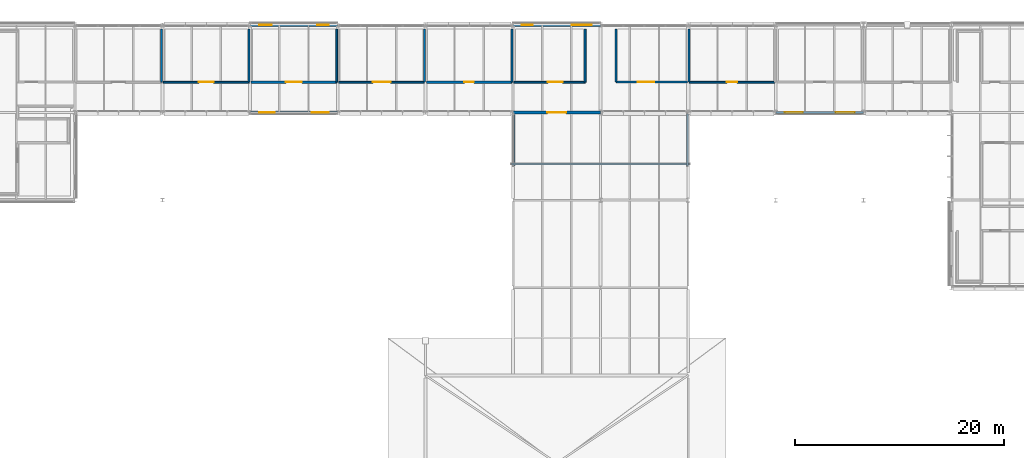
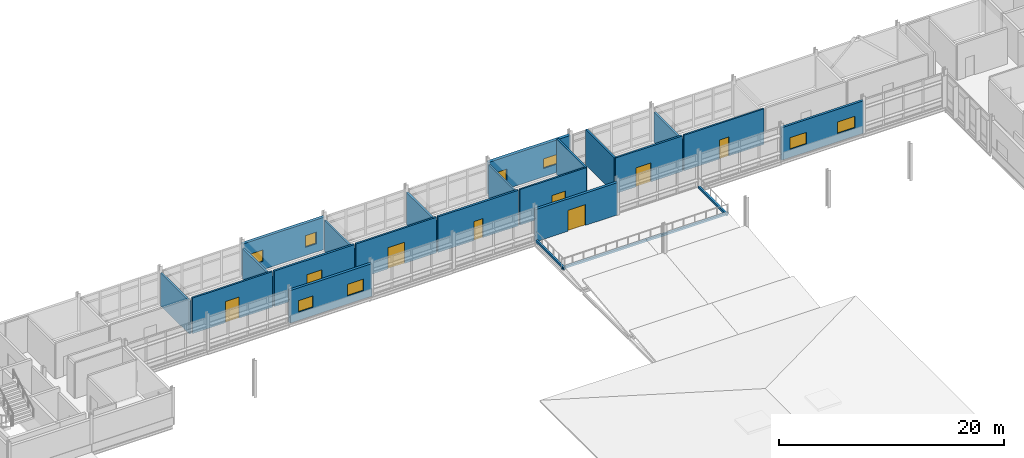
# One storey, part 52 of 66: 23 walls, 8 doors, 8 windows, 16 openings.
"""IFC4 building model written with IfcOpenShell, lengths in metres."""

from ifc_helpers import new_model, si_unit, direction, frame, frame_2d, origin, place, context, subcontext, project, spatial, rectangle, extrude, material, layer, layer_set, type_object, element, fill, save


model = new_model("IFC4")

# Units and contexts
model_context = context("Model", 3, precision=1e-05, world=origin(), true_north=direction((0.0, 1.0)))
body_context = subcontext(model_context, "Body", "Model", "MODEL_VIEW")
ifc_project = project(units=[si_unit("LENGTHUNIT", "METRE"), si_unit("AREAUNIT", "SQUARE_METRE"), si_unit("VOLUMEUNIT", "CUBIC_METRE"), si_unit("PLANEANGLEUNIT", "RADIAN"), si_unit("MASSUNIT", "GRAM", prefix="KILO")], contexts=[model_context])

# Site, building, storey
site_placement = place(None, origin())
site = spatial("IfcSite", under=ifc_project, at=site_placement, CompositionType="ELEMENT")
building_placement = place(site_placement, origin())
building = spatial("IfcBuilding", under=site, at=building_placement, Name="Mersafa Astral City Hall", CompositionType="ELEMENT")
storey_placement = place(building_placement, frame((0.0, 0.0, 22.050048828125)))
storey = spatial("IfcBuildingStorey", under=building, at=storey_placement, Name="L05", CompositionType="ELEMENT", Elevation=22.050048828125)

# Wall, openings, windows
ifc_material_1 = material(Name="Precast concrete C40/50 insulated terracotta spandrel", Category="masonry")
ifc_layer_1 = layer(ifc_material_1, 0.235107421875, Name="Precast concrete C40/50 insulated terracotta spandrel")
ifc_layer_set_1 = layer_set([ifc_layer_1], Name="Precast concrete C40/50 insulated terracotta spandrel — ENV-WAL-EXT-235")
wall_type_1 = type_object("IfcWallType", Name="ENV-WAL-EXT-235", PredefinedType="STANDARD", material=ifc_layer_set_1)
wall_1_placement = place(storey_placement, frame((126.008056640625, 117.60009765625, 0.0), z_axis=(0.0, 0.0, 1.0), x_axis=(1.0, 0.0, 0.0)))
wall_1 = element("IfcWall", 1, at=wall_1_placement, inside=storey, type_object=wall_type_1, Name="L05 Limestone-clad exterior wall 359", PredefinedType="STANDARD", context=body_context, shape_type="SweptSolid", body=[
    extrude(rectangle(XDim=8.384033203125, YDim=0.235107421875, at=frame_2d((4.19189453125, 0.0))), origin(), (0.0, 0.0, 1.0), 3.52685546875),
])
opening_1_placement = place(wall_1_placement, frame((0.85009765625, 0.0, 0.89990234375)))
opening_1 = element("IfcOpeningElement", 2, at=opening_1_placement, cuts=wall_1, Name="Opening W-18", PredefinedType="OPENING", context=body_context, shape_type="SweptSolid", body=[
    extrude(rectangle(XDim=1.719970703125, YDim=1.25, at=frame_2d((0.85986328125, 0.625))), frame((0.0, 0.12744140625, 0.0), z_axis=(0.0, -1.0, 0.0), x_axis=(1.0, 0.0, 0.0)), (0.0, 0.0, 1.0), 0.255126953125),
])
opening_2_placement = place(wall_1_placement, frame((5.714111328125, 0.0, 0.89990234375)))
opening_2 = element("IfcOpeningElement", 3, at=opening_2_placement, cuts=wall_1, Name="Opening W-19", PredefinedType="OPENING", context=body_context, shape_type="SweptSolid", body=[
    extrude(rectangle(XDim=1.820068359375, YDim=1.25, at=frame_2d((0.91015625, 0.625))), frame((0.0, 0.12744140625, 0.0), z_axis=(0.0, -1.0, 0.0), x_axis=(1.0, 0.0, 0.0)), (0.0, 0.0, 1.0), 0.255126953125),
])
ifc_material_2 = material(Name="Solar control low-e double glazing in bronze frame", Category="glass")
window_type_1 = type_object("IfcWindowType", Name="ENV-WIN-W-18", PartitioningType="SINGLE_PANEL", PredefinedType="WINDOW", material=ifc_material_2)
window_1_placement = place(opening_1_placement, origin())
window_1 = element("IfcWindow", 4, at=window_1_placement, inside=storey, type_object=window_type_1, Name="L05 Solar punched window 359-L", OverallHeight=1.25, OverallWidth=1.719970703125, PartitioningType="SINGLE_PANEL", PredefinedType="WINDOW", context=body_context, shape_type="SweptSolid", body=[
    extrude(rectangle(XDim=1.719970703125, YDim=1.25, at=frame_2d((0.85986328125, 0.625))), frame((0.0, 0.030029296875, 0.0), z_axis=(0.0, -1.0, 0.0), x_axis=(1.0, 0.0, 0.0)), (0.0, 0.0, 1.0), 0.06005859375),
])
fill(opening_1, window_1)
window_type_2 = type_object("IfcWindowType", Name="ENV-WIN-W-19", PartitioningType="SINGLE_PANEL", PredefinedType="WINDOW", material=ifc_material_2)
window_2_placement = place(opening_2_placement, origin())
window_2 = element("IfcWindow", 5, at=window_2_placement, inside=storey, type_object=window_type_2, Name="L05 Solar punched window 359-R", OverallHeight=1.25, OverallWidth=1.820068359375, PartitioningType="SINGLE_PANEL", PredefinedType="WINDOW", context=body_context, shape_type="SweptSolid", body=[
    extrude(rectangle(XDim=1.820068359375, YDim=1.25, at=frame_2d((0.91015625, 0.625))), frame((0.0, 0.030029296875, 0.0), z_axis=(0.0, -1.0, 0.0), x_axis=(1.0, 0.0, 0.0)), (0.0, 0.0, 1.0), 0.06005859375),
])
fill(opening_2, window_2)

ifc_material_3 = material(Name="Precast concrete C40/50 insulated limestone wall", Category="masonry")
ifc_layer_2 = layer(ifc_material_3, 0.264892578125, Name="Precast concrete C40/50 insulated limestone wall")
ifc_layer_set_2 = layer_set([ifc_layer_2], Name="Precast concrete C40/50 insulated limestone wall — ENV-WAL-EXT-265")
wall_type_2 = type_object("IfcWallType", Name="ENV-WAL-EXT-265", PredefinedType="STANDARD", material=ifc_layer_set_2)
wall_2_placement = place(storey_placement, frame((75.60791015625, 117.60009765625, 0.0), z_axis=(0.0, 0.0, 1.0), x_axis=(1.0, 0.0, 0.0)))
wall_2 = element("IfcWall", 6, at=wall_2_placement, inside=storey, type_object=wall_type_2, Name="L05 Limestone-clad exterior wall 357", PredefinedType="STANDARD", context=body_context, shape_type="SweptSolid", body=[
    extrude(rectangle(XDim=8.384033203125, YDim=0.264892578125, at=frame_2d((4.19189453125, 0.0))), origin(), (0.0, 0.0, 1.0), 3.52685546875),
])
opening_3_placement = place(wall_2_placement, frame((0.85009765625, 0.0, 0.89990234375)))
opening_3 = element("IfcOpeningElement", 7, at=opening_3_placement, cuts=wall_2, Name="Opening W-16", PredefinedType="OPENING", context=body_context, shape_type="SweptSolid", body=[
    extrude(rectangle(XDim=1.52001953125, YDim=1.25, at=frame_2d((0.760009765625, 0.625))), frame((0.0, 0.142333984375, 0.0), z_axis=(0.0, -1.0, 0.0), x_axis=(1.0, 0.0, 0.0)), (0.0, 0.0, 1.0), 0.284912109375),
])
opening_4_placement = place(wall_2_placement, frame((5.9140625, 0.0, 0.89990234375)))
opening_4 = element("IfcOpeningElement", 8, at=opening_4_placement, cuts=wall_2, Name="Opening W-17", PredefinedType="OPENING", context=body_context, shape_type="SweptSolid", body=[
    extrude(rectangle(XDim=1.6201171875, YDim=1.25, at=frame_2d((0.81005859375, 0.625))), frame((0.0, 0.142333984375, 0.0), z_axis=(0.0, -1.0, 0.0), x_axis=(1.0, 0.0, 0.0)), (0.0, 0.0, 1.0), 0.284912109375),
])
window_type_3 = type_object("IfcWindowType", Name="ENV-WIN-W-16", PartitioningType="SINGLE_PANEL", PredefinedType="WINDOW", material=ifc_material_2)
window_3_placement = place(opening_3_placement, origin())
window_3 = element("IfcWindow", 9, at=window_3_placement, inside=storey, type_object=window_type_3, Name="L05 Solar punched window 357-L", OverallHeight=1.25, OverallWidth=1.52001953125, PartitioningType="SINGLE_PANEL", PredefinedType="WINDOW", context=body_context, shape_type="SweptSolid", body=[
    extrude(rectangle(XDim=1.52001953125, YDim=1.25, at=frame_2d((0.760009765625, 0.625))), frame((0.0, 0.030029296875, 0.0), z_axis=(0.0, -1.0, 0.0), x_axis=(1.0, 0.0, 0.0)), (0.0, 0.0, 1.0), 0.06005859375),
])
fill(opening_3, window_3)
window_type_4 = type_object("IfcWindowType", Name="ENV-WIN-W-17", PartitioningType="SINGLE_PANEL", PredefinedType="WINDOW", material=ifc_material_2)
window_4_placement = place(opening_4_placement, origin())
window_4 = element("IfcWindow", 10, at=window_4_placement, inside=storey, type_object=window_type_4, Name="L05 Solar punched window 357-R", OverallHeight=1.25, OverallWidth=1.6201171875, PartitioningType="SINGLE_PANEL", PredefinedType="WINDOW", context=body_context, shape_type="SweptSolid", body=[
    extrude(rectangle(XDim=1.6201171875, YDim=1.25, at=frame_2d((0.81005859375, 0.625))), frame((0.0, 0.030029296875, 0.0), z_axis=(0.0, -1.0, 0.0), x_axis=(1.0, 0.0, 0.0)), (0.0, 0.0, 1.0), 0.06005859375),
])
fill(opening_4, window_4)

# Wall, opening, door
wall_3_placement = place(storey_placement, frame((100.80810546875, 117.60009765625, 0.0), z_axis=(0.0, 0.0, 1.0), x_axis=(1.0, 0.0, 0.0)))
wall_3 = element("IfcWall", 11, at=wall_3_placement, inside=storey, type_object=wall_type_2, Name="L05 Terrace access facade wall TER-L05-V6S", PredefinedType="STANDARD", context=body_context, shape_type="SweptSolid", body=[
    extrude(rectangle(XDim=8.3837890625, YDim=0.264892578125, at=frame_2d((4.19189453125, 0.0))), origin(), (0.0, 0.0, 1.0), 3.4970703125),
])
opening_5_placement = place(wall_3_placement, frame((3.2919921875, 0.0, 0.0)))
opening_5 = element("IfcOpeningElement", 12, at=opening_5_placement, cuts=wall_3, Name="Opening TD-1", PredefinedType="OPENING", context=body_context, shape_type="SweptSolid", body=[
    extrude(rectangle(XDim=1.800048828125, YDim=2.260009765625, at=frame_2d((0.89990234375, 1.1298828125))), frame((0.0, 0.142333984375, 0.0), z_axis=(0.0, -1.0, 0.0), x_axis=(1.0, 0.0, 0.0)), (0.0, 0.0, 1.0), 0.284912109375),
])
ifc_material_4 = material(Name="Anodised bronze glazed terrace door pair", Category="metal")
door_type_1 = type_object("IfcDoorType", Name="ENV-DR-TER-1800", OperationType="NOTDEFINED", PredefinedType="DOOR", material=ifc_material_4)
door_1_placement = place(opening_5_placement, origin())
door_1 = element("IfcDoor", 13, at=door_1_placement, inside=storey, type_object=door_type_1, Name="L05 Civic Roof Terrace Access Door TER-L05-V6S", OperationType="DOUBLE_DOOR_SINGLE_SWING", OverallHeight=2.260009765625, OverallWidth=1.800048828125, PredefinedType="DOOR", context=body_context, shape_type="SweptSolid", body=[
    extrude(rectangle(XDim=1.800048828125, YDim=2.260009765625, at=frame_2d((0.89990234375, 1.1298828125))), frame((0.0, 0.02490234375, 0.0), z_axis=(0.0, -1.0, 0.0), x_axis=(1.0, 0.0, 0.0)), (0.0, 0.0, 1.0), 0.050048828125),
])
fill(opening_5, door_1)

# Wall, openings, windows
ifc_layer_3 = layer(ifc_material_3, 0.294921875, Name="Precast concrete C40/50 insulated limestone wall")
ifc_layer_set_3 = layer_set([ifc_layer_3], Name="Precast concrete C40/50 insulated limestone wall — ENV-WAL-EXT-295")
wall_type_3 = type_object("IfcWallType", Name="ENV-WAL-EXT-295", PredefinedType="STANDARD", material=ifc_layer_set_3)
wall_4_placement = place(storey_placement, frame((83.991943359375, 126.0, 0.0), z_axis=(0.0, 0.0, 1.0), x_axis=(-1.0, 0.0, 0.0)))
wall_4 = element("IfcWall", 14, at=wall_4_placement, inside=storey, type_object=wall_type_3, Name="L05 Limestone-clad exterior wall 349", PredefinedType="STANDARD", context=body_context, shape_type="SweptSolid", body=[
    extrude(rectangle(XDim=8.384033203125, YDim=0.294921875, at=frame_2d((4.19189453125, 0.0))), origin(), (0.0, 0.0, 1.0), 3.4970703125),
])
opening_6_placement = place(wall_4_placement, frame((0.85009765625, 0.0, 0.89990234375)))
opening_6 = element("IfcOpeningElement", 15, at=opening_6_placement, cuts=wall_4, Name="Opening W-12", PredefinedType="OPENING", context=body_context, shape_type="SweptSolid", body=[
    extrude(rectangle(XDim=1.1201171875, YDim=1.25, at=frame_2d((0.56005859375, 0.625))), frame((0.0, 0.157470703125, 0.0), z_axis=(0.0, -1.0, 0.0), x_axis=(1.0, 0.0, 0.0)), (0.0, 0.0, 1.0), 0.31494140625),
])
opening_7_placement = place(wall_4_placement, frame((6.31396484375, 0.0, 0.89990234375)))
opening_7 = element("IfcOpeningElement", 16, at=opening_7_placement, cuts=wall_4, Name="Opening W-13", PredefinedType="OPENING", context=body_context, shape_type="SweptSolid", body=[
    extrude(rectangle(XDim=1.219970703125, YDim=1.25, at=frame_2d((0.60986328125, 0.625))), frame((0.0, 0.157470703125, 0.0), z_axis=(0.0, -1.0, 0.0), x_axis=(1.0, 0.0, 0.0)), (0.0, 0.0, 1.0), 0.31494140625),
])
window_type_5 = type_object("IfcWindowType", Name="ENV-WIN-W-12", PartitioningType="SINGLE_PANEL", PredefinedType="WINDOW", material=ifc_material_2)
window_5_placement = place(opening_6_placement, origin())
window_5 = element("IfcWindow", 17, at=window_5_placement, inside=storey, type_object=window_type_5, Name="L05 Solar punched window 349-L", OverallHeight=1.25, OverallWidth=1.1201171875, PartitioningType="SINGLE_PANEL", PredefinedType="WINDOW", context=body_context, shape_type="SweptSolid", body=[
    extrude(rectangle(XDim=1.1201171875, YDim=1.25, at=frame_2d((0.56005859375, 0.625))), frame((0.0, 0.030029296875, 0.0), z_axis=(0.0, -1.0, 0.0), x_axis=(1.0, 0.0, 0.0)), (0.0, 0.0, 1.0), 0.06005859375),
])
fill(opening_6, window_5)
window_type_6 = type_object("IfcWindowType", Name="ENV-WIN-W-13", PartitioningType="SINGLE_PANEL", PredefinedType="WINDOW", material=ifc_material_2)
window_6_placement = place(opening_7_placement, origin())
window_6 = element("IfcWindow", 18, at=window_6_placement, inside=storey, type_object=window_type_6, Name="L05 Solar punched window 349-R", OverallHeight=1.25, OverallWidth=1.219970703125, PartitioningType="SINGLE_PANEL", PredefinedType="WINDOW", context=body_context, shape_type="SweptSolid", body=[
    extrude(rectangle(XDim=1.219970703125, YDim=1.25, at=frame_2d((0.60986328125, 0.625))), frame((0.0, 0.030029296875, 0.0), z_axis=(0.0, -1.0, 0.0), x_axis=(1.0, 0.0, 0.0)), (0.0, 0.0, 1.0), 0.06005859375),
])
fill(opening_7, window_6)

ifc_layer_4 = layer(ifc_material_3, 0.31005859375, Name="Precast concrete C40/50 insulated limestone wall")
ifc_layer_set_4 = layer_set([ifc_layer_4], Name="Precast concrete C40/50 insulated limestone wall — ENV-WAL-EXT-310")
wall_type_4 = type_object("IfcWallType", Name="ENV-WAL-EXT-310", PredefinedType="STANDARD", material=ifc_layer_set_4)
wall_5_placement = place(storey_placement, frame((109.19189453125, 126.0, 0.0), z_axis=(0.0, 0.0, 1.0), x_axis=(-1.0, 0.0, 0.0)))
wall_5 = element("IfcWall", 19, at=wall_5_placement, inside=storey, type_object=wall_type_4, Name="L05 Limestone-clad exterior wall 348", PredefinedType="STANDARD", context=body_context, shape_type="SweptSolid", body=[
    extrude(rectangle(XDim=8.3837890625, YDim=0.31005859375, at=frame_2d((4.19189453125, 0.0))), origin(), (0.0, 0.0, 1.0), 3.52685546875),
])
opening_8_placement = place(wall_5_placement, frame((0.85009765625, 0.0, 0.89990234375)))
opening_8 = element("IfcOpeningElement", 20, at=opening_8_placement, cuts=wall_5, Name="Opening W-10", PredefinedType="OPENING", context=body_context, shape_type="SweptSolid", body=[
    extrude(rectangle(XDim=1.919921875, YDim=1.050048828125, at=frame_2d((0.9599609375, 0.52490234375))), frame((0.0, 0.1650390625, 0.0), z_axis=(0.0, -1.0, 0.0), x_axis=(1.0, 0.0, 0.0)), (0.0, 0.0, 1.0), 0.330078125),
])
opening_9_placement = place(wall_5_placement, frame((6.513916015625, 0.0, 0.89990234375)))
opening_9 = element("IfcOpeningElement", 21, at=opening_9_placement, cuts=wall_5, Name="Opening W-11", PredefinedType="OPENING", context=body_context, shape_type="SweptSolid", body=[
    extrude(rectangle(XDim=1.02001953125, YDim=1.25, at=frame_2d((0.510009765625, 0.625))), frame((0.0, 0.1650390625, 0.0), z_axis=(0.0, -1.0, 0.0), x_axis=(1.0, 0.0, 0.0)), (0.0, 0.0, 1.0), 0.330078125),
])
window_type_7 = type_object("IfcWindowType", Name="ENV-WIN-W-10", PartitioningType="SINGLE_PANEL", PredefinedType="WINDOW", material=ifc_material_2)
window_7_placement = place(opening_8_placement, origin())
window_7 = element("IfcWindow", 22, at=window_7_placement, inside=storey, type_object=window_type_7, Name="L05 Solar punched window 348-L", OverallHeight=1.050048828125, OverallWidth=1.919921875, PartitioningType="SINGLE_PANEL", PredefinedType="WINDOW", context=body_context, shape_type="SweptSolid", body=[
    extrude(rectangle(XDim=1.919921875, YDim=1.050048828125, at=frame_2d((0.9599609375, 0.52490234375))), frame((0.0, 0.030029296875, 0.0), z_axis=(0.0, -1.0, 0.0), x_axis=(1.0, 0.0, 0.0)), (0.0, 0.0, 1.0), 0.06005859375),
])
fill(opening_8, window_7)
window_type_8 = type_object("IfcWindowType", Name="ENV-WIN-W-11", PartitioningType="SINGLE_PANEL", PredefinedType="WINDOW", material=ifc_material_2)
window_8_placement = place(opening_9_placement, origin())
window_8 = element("IfcWindow", 23, at=window_8_placement, inside=storey, type_object=window_type_8, Name="L05 Solar punched window 348-R", OverallHeight=1.25, OverallWidth=1.02001953125, PartitioningType="SINGLE_PANEL", PredefinedType="WINDOW", context=body_context, shape_type="SweptSolid", body=[
    extrude(rectangle(XDim=1.02001953125, YDim=1.25, at=frame_2d((0.510009765625, 0.625))), frame((0.0, 0.030029296875, 0.0), z_axis=(0.0, -1.0, 0.0), x_axis=(1.0, 0.0, 0.0)), (0.0, 0.0, 1.0), 0.06005859375),
])
fill(opening_9, window_8)

# Walls
ifc_material_5 = material(Name="Precast concrete C40/50 parapet", Category="concrete")
ifc_layer_5 = layer(ifc_material_5, 0.199951171875, Name="Precast concrete C40/50 parapet")
ifc_layer_set_5 = layer_set([ifc_layer_5], Name="Precast concrete C40/50 parapet — ENV-WAL-PAR-200")
wall_type_5 = type_object("IfcWallType", Name="ENV-WAL-PAR-200", PredefinedType="PARAPET", material=ifc_layer_set_5)
for number, where, z_axis, x_axis, name in (
    (24, (117.530029296875, 112.4599609375, 0.0), (0.0, 0.0, 1.0), (0.0, 1.0, 0.0), "L05 Terrace stone kerb parapet 11"),
    (25, (100.8701171875, 117.4599609375, 0.0), (0.0, 0.0, 1.0), (0.0, -1.0, 0.0), "L05 Terrace stone kerb parapet 12"),
):
    element("IfcWall", number, at=place(storey_placement, frame(where, z_axis=z_axis, x_axis=x_axis)), inside=storey, type_object=wall_type_5, Name=name, PredefinedType="PARAPET", context=body_context, shape_type="SweptSolid", body=[
        extrude(rectangle(XDim=5.0, YDim=0.199951171875, at=frame_2d((2.5, 0.0))), origin(), (0.0, 0.0, 1.0), 0.219970703125),
    ])
wall_6_placement = place(storey_placement, frame((100.659912109375, 112.669921875, 0.0), z_axis=(0.0, 0.0, 1.0), x_axis=(1.0, 0.0, 0.0)))
element("IfcWall", 26, at=wall_6_placement, inside=storey, type_object=wall_type_5, Name="L05 Terrace stone kerb parapet 13", PredefinedType="PARAPET", context=body_context, shape_type="SweptSolid", body=[
    extrude(rectangle(XDim=17.080078125, YDim=0.199951171875, at=frame_2d((8.5400390625, 0.0))), origin(), (0.0, 0.0, 1.0), 0.219970703125),
])
ifc_material_6 = material(Name="Fire-rated gypsum stud partition", Category="gypsum")
ifc_layer_6 = layer(ifc_material_6, 0.1650390625, Name="Fire-rated gypsum stud partition")
ifc_layer_set_6 = layer_set([ifc_layer_6], Name="Fire-rated gypsum stud partition — INT-WAL-PART-EI60-165")
wall_type_6 = type_object("IfcWallType", Name="INT-WAL-PART-EI60-165", PredefinedType="STANDARD", material=ifc_layer_set_6)
wall_7_placement = place(storey_placement, frame((83.909912109375, 125.580078125, -0.004150390625), z_axis=(0.0, 0.0, 1.0), x_axis=(0.0, -1.0, 0.0)))
element("IfcWall", 27, at=wall_7_placement, inside=storey, type_object=wall_type_6, Name="L05 Interior partition wall 747", PredefinedType="STANDARD", context=body_context, shape_type="SweptSolid", body=[
    extrude(rectangle(XDim=5.080078125, YDim=0.1650390625, at=frame_2d((2.5400390625, 0.0))), origin(), (0.0, 0.0, 1.0), 3.37109375),
])
wall_8_placement = place(storey_placement, frame((100.7099609375, 125.580078125, -0.004150390625), z_axis=(0.0, 0.0, 1.0), x_axis=(0.0, -1.0, 0.0)))
element("IfcWall", 28, at=wall_8_placement, inside=storey, type_object=wall_type_6, Name="L05 Interior partition wall 751", PredefinedType="STANDARD", context=body_context, shape_type="SweptSolid", body=[
    extrude(rectangle(XDim=5.080078125, YDim=0.1650390625, at=frame_2d((2.5400390625, 0.0))), origin(), (0.0, 0.0, 1.0), 3.510986328125),
])

# Wall, opening, door
wall_9_placement = place(storey_placement, frame((125.909912109375, 120.5, -0.004150390625), z_axis=(0.0, 0.0, 1.0), x_axis=(-1.0, 0.0, 0.0)))
wall_9 = element("IfcWall", 29, at=wall_9_placement, inside=storey, type_object=wall_type_6, Name="L05 Interior partition wall 755", PredefinedType="STANDARD", context=body_context, shape_type="SweptSolid", body=[
    extrude(rectangle(XDim=8.219970703125, YDim=0.1650390625, at=frame_2d((4.10986328125, 0.0))), origin(), (0.0, 0.0, 1.0), 3.85400390625),
])
opening_10_placement = place(wall_9_placement, frame((3.6201171875, 0.0, 0.0)))
opening_10 = element("IfcOpeningElement", 30, at=opening_10_placement, cuts=wall_9, Name="Opening D-02", PredefinedType="OPENING", context=body_context, shape_type="SweptSolid", body=[
    extrude(rectangle(XDim=0.97998046875, YDim=2.06005859375, at=frame_2d((0.489990234375, 1.030029296875))), frame((0.0, 0.092529296875, 0.0), z_axis=(0.0, -1.0, 0.0), x_axis=(1.0, 0.0, 0.0)), (0.0, 0.0, 1.0), 0.18505859375),
])
ifc_material_7 = material(Name="Cedar veneered acoustic fire-rated timber door", Category="wood")
door_type_2 = type_object("IfcDoorType", Name="INT-DR-RM-D-02", OperationType="NOTDEFINED", PredefinedType="DOOR", material=ifc_material_7)
door_2_placement = place(opening_10_placement, origin())
door_2 = element("IfcDoor", 31, at=door_2_placement, inside=storey, type_object=door_type_2, Name="L05 Public Restroom L05-07 Entrance Door", OperationType="SINGLE_SWING_RIGHT", OverallHeight=2.06005859375, OverallWidth=0.97998046875, PredefinedType="DOOR", context=body_context, shape_type="SweptSolid", body=[
    extrude(rectangle(XDim=0.97998046875, YDim=2.06005859375, at=frame_2d((0.489990234375, 1.030029296875))), frame((0.0, 0.02490234375, 0.0), z_axis=(0.0, -1.0, 0.0), x_axis=(1.0, 0.0, 0.0)), (0.0, 0.0, 1.0), 0.050048828125),
])
fill(opening_10, door_2)

wall_10_placement = place(storey_placement, frame((107.719970703125, 120.5, -0.004150390625), z_axis=(0.0, 0.0, 1.0), x_axis=(-1.0, 0.0, 0.0)))
wall_10 = element("IfcWall", 32, at=wall_10_placement, inside=storey, type_object=wall_type_6, Name="L05 Interior partition wall 771", PredefinedType="STANDARD", context=body_context, shape_type="SweptSolid", body=[
    extrude(rectangle(XDim=6.830078125, YDim=0.1650390625, at=frame_2d((3.4150390625, 0.0))), origin(), (0.0, 0.0, 1.0), 3.85400390625),
])
opening_11_placement = place(wall_10_placement, frame((2.168701171875, 0.0, 0.0)))
opening_11 = element("IfcOpeningElement", 33, at=opening_11_placement, cuts=wall_10, Name="Opening D-07", PredefinedType="OPENING", context=body_context, shape_type="SweptSolid", body=[
    extrude(rectangle(XDim=1.39990234375, YDim=2.06005859375, at=frame_2d((0.699951171875, 1.030029296875))), frame((0.0, 0.092529296875, 0.0), z_axis=(0.0, -1.0, 0.0), x_axis=(1.0, 0.0, 0.0)), (0.0, 0.0, 1.0), 0.18505859375),
])
door_type_3 = type_object("IfcDoorType", Name="INT-DR-RM-D-07", OperationType="NOTDEFINED", PredefinedType="DOOR", material=ifc_material_7)
door_3_placement = place(opening_11_placement, origin())
door_3 = element("IfcDoor", 34, at=door_3_placement, inside=storey, type_object=door_type_3, Name="L05 Inter-District Coordination Room L05-12 Entrance Door", OperationType="SINGLE_SWING_LEFT", OverallHeight=2.06005859375, OverallWidth=1.39990234375, PredefinedType="DOOR", context=body_context, shape_type="SweptSolid", body=[
    extrude(rectangle(XDim=1.39990234375, YDim=2.06005859375, at=frame_2d((0.699951171875, 1.030029296875))), frame((0.0, 0.02490234375, 0.0), z_axis=(0.0, -1.0, 0.0), x_axis=(1.0, 0.0, 0.0)), (0.0, 0.0, 1.0), 0.050048828125),
])
fill(opening_11, door_3)

# Wall
ifc_material_8 = material(Name="Acoustic twin-stud gypsum partition", Category="gypsum")
ifc_layer_7 = layer(ifc_material_8, 0.179931640625, Name="Acoustic twin-stud gypsum partition")
ifc_layer_set_7 = layer_set([ifc_layer_7], Name="Acoustic twin-stud gypsum partition — INT-WAL-PART-EI60-180")
wall_type_7 = type_object("IfcWallType", Name="INT-WAL-PART-EI60-180", PredefinedType="STANDARD", material=ifc_layer_set_7)
wall_11_placement = place(storey_placement, frame((67.110107421875, 125.580078125, -0.004150390625), z_axis=(0.0, 0.0, 1.0), x_axis=(0.0, -1.0, 0.0)))
element("IfcWall", 35, at=wall_11_placement, inside=storey, type_object=wall_type_7, Name="L05 Interior partition wall 742", PredefinedType="STANDARD", context=body_context, shape_type="SweptSolid", body=[
    extrude(rectangle(XDim=5.080078125, YDim=0.179931640625, at=frame_2d((2.5400390625, 0.0))), origin(), (0.0, 0.0, 1.0), 3.551025390625),
])

# Wall, opening, door
wall_12_placement = place(storey_placement, frame((75.510009765625, 120.5, -0.004150390625), z_axis=(0.0, 0.0, 1.0), x_axis=(-1.0, 0.0, 0.0)))
wall_12 = element("IfcWall", 36, at=wall_12_placement, inside=storey, type_object=wall_type_7, Name="L05 Interior partition wall 746", PredefinedType="STANDARD", context=body_context, shape_type="SweptSolid", body=[
    extrude(rectangle(XDim=8.219970703125, YDim=0.179931640625, at=frame_2d((4.10986328125, 0.0))), origin(), (0.0, 0.0, 1.0), 3.85400390625),
])
opening_12_placement = place(wall_12_placement, frame((3.409912109375, 0.0, 0.0)))
opening_12 = element("IfcOpeningElement", 37, at=opening_12_placement, cuts=wall_12, Name="Opening D-34", PredefinedType="OPENING", context=body_context, shape_type="SweptSolid", body=[
    extrude(rectangle(XDim=1.39990234375, YDim=2.300048828125, at=frame_2d((0.699951171875, 1.14990234375))), frame((0.0, 0.099853515625, 0.0), z_axis=(0.0, -1.0, 0.0), x_axis=(1.0, 0.0, 0.0)), (0.0, 0.0, 1.0), 0.199951171875),
])
door_type_4 = type_object("IfcDoorType", Name="INT-DR-RM-D-34", OperationType="NOTDEFINED", PredefinedType="DOOR", material=ifc_material_7)
door_4_placement = place(opening_12_placement, origin())
door_4 = element("IfcDoor", 38, at=door_4_placement, inside=storey, type_object=door_type_4, Name="L05 Municipal Policy Research Studio L05-03 Entrance Door", OperationType="SINGLE_SWING_RIGHT", OverallHeight=2.300048828125, OverallWidth=1.39990234375, PredefinedType="DOOR", context=body_context, shape_type="SweptSolid", body=[
    extrude(rectangle(XDim=1.39990234375, YDim=2.300048828125, at=frame_2d((0.699951171875, 1.14990234375))), frame((0.0, 0.02490234375, 0.0), z_axis=(0.0, -1.0, 0.0), x_axis=(1.0, 0.0, 0.0)), (0.0, 0.0, 1.0), 0.050048828125),
])
fill(opening_12, door_4)

wall_13_placement = place(storey_placement, frame((92.31005859375, 120.5, -0.004150390625), z_axis=(0.0, 0.0, 1.0), x_axis=(-1.0, 0.0, 0.0)))
wall_13 = element("IfcWall", 39, at=wall_13_placement, inside=storey, type_object=wall_type_7, Name="L05 Interior partition wall 750", PredefinedType="STANDARD", context=body_context, shape_type="SweptSolid", body=[
    extrude(rectangle(XDim=8.219970703125, YDim=0.179931640625, at=frame_2d((4.10986328125, 0.0))), origin(), (0.0, 0.0, 1.0), 3.85400390625),
])
opening_13_placement = place(wall_13_placement, frame((3.25, 0.0, 0.0)))
opening_13 = element("IfcOpeningElement", 40, at=opening_13_placement, cuts=wall_13, Name="Opening D-36", PredefinedType="OPENING", context=body_context, shape_type="SweptSolid", body=[
    extrude(rectangle(XDim=1.719970703125, YDim=2.300048828125, at=frame_2d((0.85986328125, 1.14990234375))), frame((0.0, 0.099853515625, 0.0), z_axis=(0.0, -1.0, 0.0), x_axis=(1.0, 0.0, 0.0)), (0.0, 0.0, 1.0), 0.199951171875),
])
door_type_5 = type_object("IfcDoorType", Name="INT-DR-RM-D-36", OperationType="NOTDEFINED", PredefinedType="DOOR", material=ifc_material_7)
door_5_placement = place(opening_13_placement, origin())
door_5 = element("IfcDoor", 41, at=door_5_placement, inside=storey, type_object=door_type_5, Name="L05 Inter-District Coordination Room L05-05 Entrance Door", OperationType="SINGLE_SWING_RIGHT", OverallHeight=2.300048828125, OverallWidth=1.719970703125, PredefinedType="DOOR", context=body_context, shape_type="SweptSolid", body=[
    extrude(rectangle(XDim=1.719970703125, YDim=2.300048828125, at=frame_2d((0.85986328125, 1.14990234375))), frame((0.0, 0.02490234375, 0.0), z_axis=(0.0, -1.0, 0.0), x_axis=(1.0, 0.0, 0.0)), (0.0, 0.0, 1.0), 0.050048828125),
])
fill(opening_13, door_5)

# Walls
wall_14_placement = place(storey_placement, frame((107.719970703125, 125.580078125, -0.004150390625), z_axis=(0.0, 0.0, 1.0), x_axis=(0.0, -1.0, 0.0)))
element("IfcWall", 42, at=wall_14_placement, inside=storey, type_object=wall_type_7, Name="L05 Interior partition wall 770", PredefinedType="STANDARD", context=body_context, shape_type="SweptSolid", body=[
    extrude(rectangle(XDim=5.080078125, YDim=0.179931640625, at=frame_2d((2.5400390625, 0.0))), origin(), (0.0, 0.0, 1.0), 3.85400390625),
])
ifc_layer_8 = layer(ifc_material_8, 0.195068359375, Name="Acoustic twin-stud gypsum partition")
ifc_layer_set_8 = layer_set([ifc_layer_8], Name="Acoustic twin-stud gypsum partition — INT-WAL-PART-EI60-195")
wall_type_8 = type_object("IfcWallType", Name="INT-WAL-PART-EI60-195", PredefinedType="STANDARD", material=ifc_layer_set_8)
wall_15_placement = place(storey_placement, frame((75.510009765625, 125.580078125, -0.004150390625), z_axis=(0.0, 0.0, 1.0), x_axis=(0.0, -1.0, 0.0)))
element("IfcWall", 43, at=wall_15_placement, inside=storey, type_object=wall_type_8, Name="L05 Interior partition wall 745", PredefinedType="STANDARD", context=body_context, shape_type="SweptSolid", body=[
    extrude(rectangle(XDim=5.080078125, YDim=0.195068359375, at=frame_2d((2.5400390625, 0.0))), origin(), (0.0, 0.0, 1.0), 3.260986328125),
])
wall_16_placement = place(storey_placement, frame((92.31005859375, 125.580078125, -0.004150390625), z_axis=(0.0, 0.0, 1.0), x_axis=(0.0, -1.0, 0.0)))
element("IfcWall", 44, at=wall_16_placement, inside=storey, type_object=wall_type_8, Name="L05 Interior partition wall 749", PredefinedType="STANDARD", context=body_context, shape_type="SweptSolid", body=[
    extrude(rectangle(XDim=5.080078125, YDim=0.195068359375, at=frame_2d((2.5400390625, 0.0))), origin(), (0.0, 0.0, 1.0), 3.461181640625),
])
wall_17_placement = place(storey_placement, frame((117.68994140625, 120.5, -0.004150390625), z_axis=(0.0, 0.0, 1.0), x_axis=(0.0, 1.0, 0.0)))
element("IfcWall", 45, at=wall_17_placement, inside=storey, type_object=wall_type_8, Name="L05 Interior partition wall 753", PredefinedType="STANDARD", context=body_context, shape_type="SweptSolid", body=[
    extrude(rectangle(XDim=5.080078125, YDim=0.195068359375, at=frame_2d((2.5400390625, 0.0))), origin(), (0.0, 0.0, 1.0), 3.260986328125),
])

# Wall, opening, door
wall_18_placement = place(storey_placement, frame((117.510009765625, 120.5, -0.004150390625), z_axis=(0.0, 0.0, 1.0), x_axis=(-1.0, 0.0, 0.0)))
wall_18 = element("IfcWall", 46, at=wall_18_placement, inside=storey, type_object=wall_type_8, Name="L05 Interior partition wall 773", PredefinedType="STANDARD", context=body_context, shape_type="SweptSolid", body=[
    extrude(rectangle(XDim=6.830078125, YDim=0.195068359375, at=frame_2d((3.4150390625, 0.0))), origin(), (0.0, 0.0, 1.0), 3.85400390625),
])
opening_14_placement = place(wall_18_placement, frame((3.19140625, 0.0, 0.0)))
opening_14 = element("IfcOpeningElement", 47, at=opening_14_placement, cuts=wall_18, Name="Opening D-08", PredefinedType="OPENING", context=body_context, shape_type="SweptSolid", body=[
    extrude(rectangle(XDim=1.5400390625, YDim=2.06005859375, at=frame_2d((0.77001953125, 1.030029296875))), frame((0.0, 0.107421875, 0.0), z_axis=(0.0, -1.0, 0.0), x_axis=(1.0, 0.0, 0.0)), (0.0, 0.0, 1.0), 0.215087890625),
])
door_type_6 = type_object("IfcDoorType", Name="INT-DR-RM-D-08", OperationType="NOTDEFINED", PredefinedType="DOOR", material=ifc_material_7)
door_6_placement = place(opening_14_placement, origin())
door_6 = element("IfcDoor", 48, at=door_6_placement, inside=storey, type_object=door_type_6, Name="L05 Protocol & Civic Events Office L05-13 Entrance Door", OperationType="SINGLE_SWING_RIGHT", OverallHeight=2.06005859375, OverallWidth=1.5400390625, PredefinedType="DOOR", context=body_context, shape_type="SweptSolid", body=[
    extrude(rectangle(XDim=1.5400390625, YDim=2.06005859375, at=frame_2d((0.77001953125, 1.030029296875))), frame((0.0, 0.02490234375, 0.0), z_axis=(0.0, -1.0, 0.0), x_axis=(1.0, 0.0, 0.0)), (0.0, 0.0, 1.0), 0.050048828125),
])
fill(opening_14, door_6)

ifc_material_9 = material(Name="Autoclaved aerated concrete blockwork plastered", Category="masonry")
ifc_layer_9 = layer(ifc_material_9, 0.2099609375, Name="Autoclaved aerated concrete blockwork plastered")
ifc_layer_set_9 = layer_set([ifc_layer_9], Name="Autoclaved aerated concrete blockwork plastered — INT-WAL-PART-EI60-210")
wall_type_9 = type_object("IfcWallType", Name="INT-WAL-PART-EI60-210", PredefinedType="STANDARD", material=ifc_layer_set_9)
wall_19_placement = place(storey_placement, frame((83.909912109375, 120.5, -0.004150390625), z_axis=(0.0, 0.0, 1.0), x_axis=(-1.0, 0.0, 0.0)))
wall_19 = element("IfcWall", 49, at=wall_19_placement, inside=storey, type_object=wall_type_9, Name="L05 Interior partition wall 748", PredefinedType="STANDARD", context=body_context, shape_type="SweptSolid", body=[
    extrude(rectangle(XDim=8.219970703125, YDim=0.2099609375, at=frame_2d((4.10986328125, 0.0))), origin(), (0.0, 0.0, 1.0), 3.85400390625),
])
opening_15_placement = place(wall_19_placement, frame((3.340087890625, 0.0, 0.0)))
opening_15 = element("IfcOpeningElement", 50, at=opening_15_placement, cuts=wall_19, Name="Opening D-35", PredefinedType="OPENING", context=body_context, shape_type="SweptSolid", body=[
    extrude(rectangle(XDim=1.5400390625, YDim=2.300048828125, at=frame_2d((0.77001953125, 1.14990234375))), frame((0.0, 0.114990234375, 0.0), z_axis=(0.0, -1.0, 0.0), x_axis=(1.0, 0.0, 0.0)), (0.0, 0.0, 1.0), 0.22998046875),
])
door_type_7 = type_object("IfcDoorType", Name="INT-DR-RM-D-35", OperationType="NOTDEFINED", PredefinedType="DOOR", material=ifc_material_7)
door_7_placement = place(opening_15_placement, origin())
door_7 = element("IfcDoor", 51, at=door_7_placement, inside=storey, type_object=door_type_7, Name="L05 Capital Budget Review Room L05-04 Entrance Door", OperationType="SINGLE_SWING_LEFT", OverallHeight=2.300048828125, OverallWidth=1.5400390625, PredefinedType="DOOR", context=body_context, shape_type="SweptSolid", body=[
    extrude(rectangle(XDim=1.5400390625, YDim=2.300048828125, at=frame_2d((0.77001953125, 1.14990234375))), frame((0.0, 0.02490234375, 0.0), z_axis=(0.0, -1.0, 0.0), x_axis=(1.0, 0.0, 0.0)), (0.0, 0.0, 1.0), 0.050048828125),
])
fill(opening_15, door_7)

wall_20_placement = place(storey_placement, frame((100.7099609375, 120.5, -0.004150390625), z_axis=(0.0, 0.0, 1.0), x_axis=(-1.0, 0.0, 0.0)))
wall_20 = element("IfcWall", 52, at=wall_20_placement, inside=storey, type_object=wall_type_9, Name="L05 Interior partition wall 752", PredefinedType="STANDARD", context=body_context, shape_type="SweptSolid", body=[
    extrude(rectangle(XDim=8.219970703125, YDim=0.2099609375, at=frame_2d((4.10986328125, 0.0))), origin(), (0.0, 0.0, 1.0), 3.85400390625),
])
opening_16_placement = place(wall_20_placement, frame((3.64990234375, 0.0, 0.0)))
opening_16 = element("IfcOpeningElement", 53, at=opening_16_placement, cuts=wall_20, Name="Opening D-01", PredefinedType="OPENING", context=body_context, shape_type="SweptSolid", body=[
    extrude(rectangle(XDim=0.919921875, YDim=2.06005859375, at=frame_2d((0.4599609375, 1.030029296875))), frame((0.0, 0.114990234375, 0.0), z_axis=(0.0, -1.0, 0.0), x_axis=(1.0, 0.0, 0.0)), (0.0, 0.0, 1.0), 0.22998046875),
])
door_type_8 = type_object("IfcDoorType", Name="INT-DR-RM-D-01", OperationType="NOTDEFINED", PredefinedType="DOOR", material=ifc_material_7)
door_8_placement = place(opening_16_placement, origin())
door_8 = element("IfcDoor", 54, at=door_8_placement, inside=storey, type_object=door_type_8, Name="L05 Protocol & Civic Events Office L05-06 Entrance Door", OperationType="SINGLE_SWING_LEFT", OverallHeight=2.06005859375, OverallWidth=0.919921875, PredefinedType="DOOR", context=body_context, shape_type="SweptSolid", body=[
    extrude(rectangle(XDim=0.919921875, YDim=2.06005859375, at=frame_2d((0.4599609375, 1.030029296875))), frame((0.0, 0.02490234375, 0.0), z_axis=(0.0, -1.0, 0.0), x_axis=(1.0, 0.0, 0.0)), (0.0, 0.0, 1.0), 0.050048828125),
])
fill(opening_16, door_8)

# Wall
wall_21_placement = place(storey_placement, frame((110.679931640625, 120.5, -0.004150390625), z_axis=(0.0, 0.0, 1.0), x_axis=(0.0, 1.0, 0.0)))
element("IfcWall", 55, at=wall_21_placement, inside=storey, type_object=wall_type_9, Name="L05 Interior partition wall 772", PredefinedType="STANDARD", context=body_context, shape_type="SweptSolid", body=[
    extrude(rectangle(XDim=5.080078125, YDim=0.2099609375, at=frame_2d((2.5400390625, 0.0))), origin(), (0.0, 0.0, 1.0), 3.85400390625),
])

save(model, "model.ifc")
